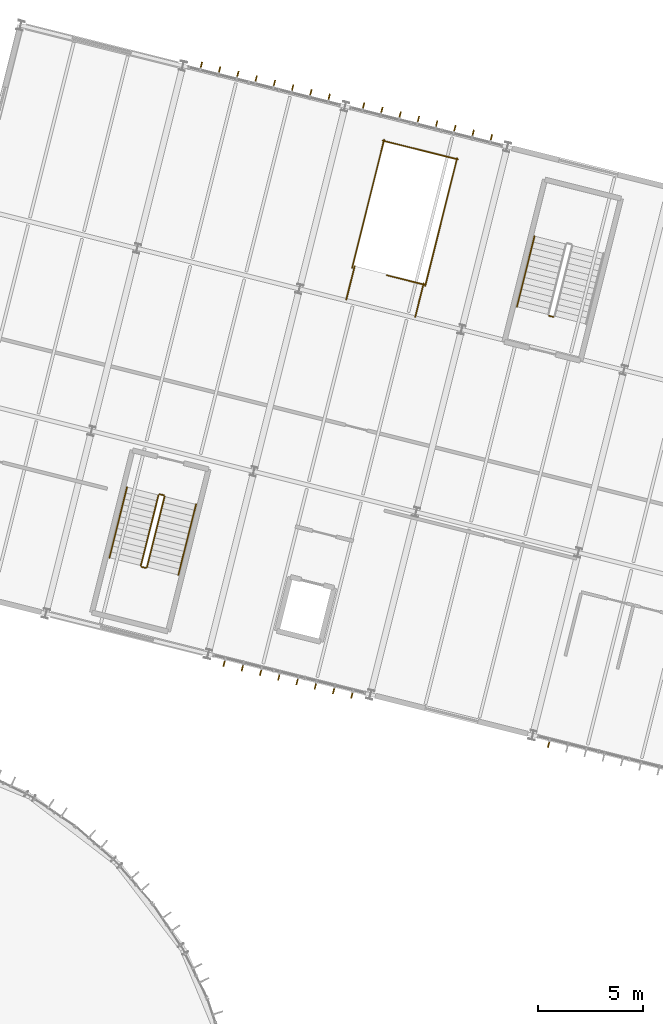
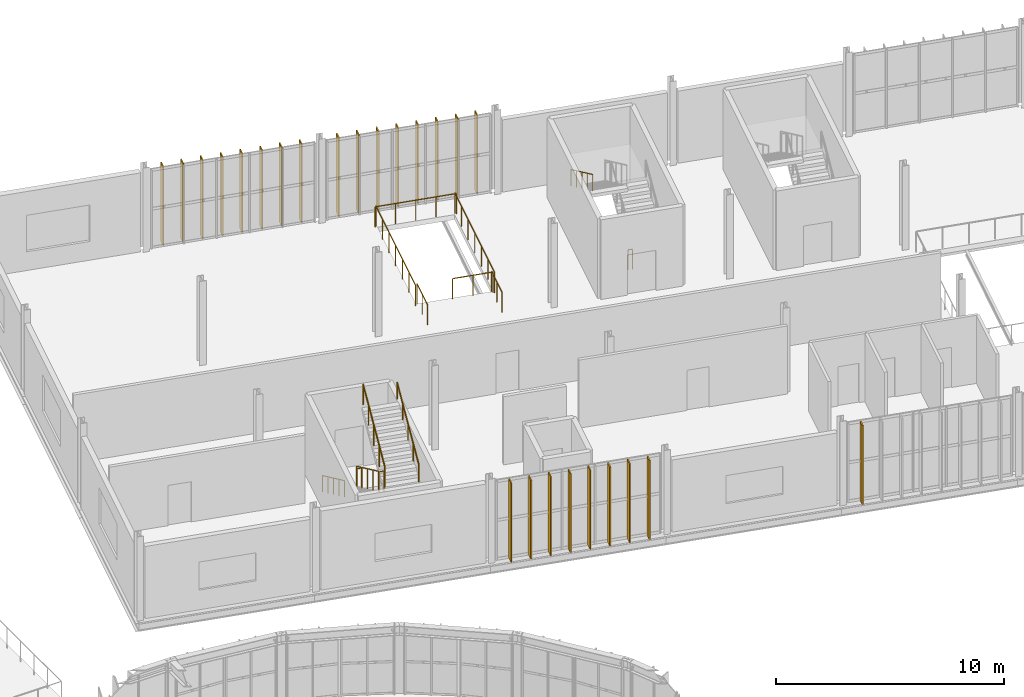
# One storey, part 149 of 152: 25 shading devices, 14 railings.
"""IFC4 building model written with IfcOpenShell, lengths in metres."""

from ifc_helpers import new_model, si_unit, derived_unit, direction, frame, origin, origin_2d, place, context, subcontext, project, spatial, rectangle, circle, extrude, material, layer, layer_set, type_object, element, save


model = new_model("IFC4")

# Units and contexts
model_context = context("Model", 3, precision=1e-05, world=origin(), true_north=direction((0.0, 1.0)))
body_context = subcontext(model_context, "Body", "Model", "MODEL_VIEW")
ifc_project = project(units=[si_unit("LENGTHUNIT", "METRE"), si_unit("AREAUNIT", "SQUARE_METRE"), si_unit("VOLUMEUNIT", "CUBIC_METRE"), si_unit("PLANEANGLEUNIT", "RADIAN"), si_unit("MASSUNIT", "GRAM", prefix="KILO"), si_unit("THERMODYNAMICTEMPERATUREUNIT", "KELVIN"), si_unit("TIMEUNIT", "SECOND"), derived_unit("THERMALTRANSMITTANCEUNIT", [(si_unit("MASSUNIT", "GRAM", prefix="KILO"), 1), (si_unit("THERMODYNAMICTEMPERATUREUNIT", "KELVIN"), -1), (si_unit("TIMEUNIT", "SECOND"), -3)])], contexts=[model_context])

# Site, building, storey
site_placement = place(None, origin())
site = spatial("IfcSite", under=ifc_project, at=site_placement, CompositionType="ELEMENT")
building_placement = place(site_placement, origin())
building = spatial("IfcBuilding", under=site, at=building_placement, Name="Cambertide Market Hall", CompositionType="ELEMENT")
storey_placement = place(building_placement, frame((0.0, 0.0, 5.39990234375)))
storey = spatial("IfcBuildingStorey", under=building, at=storey_placement, Name="L02", CompositionType="ELEMENT", Elevation=5.39990234375)

# Railings
ifc_material_1 = material(Name="Stainless Steel Grade 316", Category="metal")
railing_type_1 = type_object("IfcRailingType", Name="Stair Wall Handrail 900", PredefinedType="HANDRAIL", material=ifc_material_1)
railing_1_placement = place(storey_placement, frame((119.6416015625, 104.098876953125, 0.173095703125)))
element("IfcRailing", 1, at=railing_1_placement, inside=storey, type_object=railing_type_1, Name="Level 2 ST-07A stair handrail 1", PredefinedType="HANDRAIL", context=body_context, shape_type="SweptSolid", body=[
    extrude(circle(Radius=0.02392578125, at=origin_2d()), frame((0.0, 0.0, 0.8759765625), z_axis=(-0.208252581653, -0.833070567451, 0.5124688204), x_axis=(0.970146626655, -0.2425191184, 0.0)), (0.0, 0.0, 1.0), 4.052734375),
    extrude(circle(Radius=0.02099609375, at=origin_2d()), origin(), (0.0, 0.0, 1.0), 0.851806640625),
    extrude(circle(Radius=0.02099609375, at=origin_2d()), frame((-0.2109375, -0.843994140625, 0.519287109375)), (0.0, 0.0, 1.0), 0.851806640625),
    extrude(circle(Radius=0.02099609375, at=origin_2d()), frame((-0.421875, -1.68798828125, 1.03857421875)), (0.0, 0.0, 1.0), 0.851806640625),
    extrude(circle(Radius=0.02099609375, at=origin_2d()), frame((-0.633056640625, -2.5322265625, 1.5576171875)), (0.0, 0.0, 1.0), 0.851806640625),
    extrude(circle(Radius=0.02099609375, at=origin_2d()), frame((-0.843994140625, -3.376220703125, 2.076904296875)), (0.0, 0.0, 1.0), 0.851806640625),
])
railing_2_placement = place(storey_placement, frame((122.09619140625, 99.898193359375, 2.423095703125)))
element("IfcRailing", 2, at=railing_2_placement, inside=storey, type_object=railing_type_1, Name="Level 2 ST-07A stair handrail 2", PredefinedType="HANDRAIL", context=body_context, shape_type="SweptSolid", body=[
    extrude(circle(Radius=0.02392578125, at=origin_2d()), frame((0.0, 0.0, 0.8759765625), z_axis=(0.208263033191, 0.833052132762, 0.512494539587), x_axis=(-0.970142500145, 0.242535625036, 0.0)), (0.0, 0.0, 1.0), 4.052490234375),
    extrude(circle(Radius=0.02099609375, at=origin_2d()), origin(), (0.0, 0.0, 1.0), 0.851806640625),
    extrude(circle(Radius=0.02099609375, at=origin_2d()), frame((0.2109375, 0.843994140625, 0.519287109375)), (0.0, 0.0, 1.0), 0.851806640625),
    extrude(circle(Radius=0.02099609375, at=origin_2d()), frame((0.421875, 1.68798828125, 1.03857421875)), (0.0, 0.0, 1.0), 0.851806640625),
    extrude(circle(Radius=0.02099609375, at=origin_2d()), frame((0.633056640625, 2.531982421875, 1.5576171875)), (0.0, 0.0, 1.0), 0.851806640625),
    extrude(circle(Radius=0.02099609375, at=origin_2d()), frame((0.843994140625, 3.3759765625, 2.076904296875)), (0.0, 0.0, 1.0), 0.851806640625),
])
railing_3_placement = place(storey_placement, frame((139.13671875, 116.109130859375, 2.423095703125)))
element("IfcRailing", 3, at=railing_3_placement, inside=storey, type_object=railing_type_1, Name="Level 2 ST-07B stair handrail 2", PredefinedType="HANDRAIL", context=body_context, shape_type="SweptSolid", body=[
    extrude(circle(Radius=0.02392578125, at=origin_2d()), frame((0.0, 0.0, 0.8759765625), z_axis=(-0.208263033191, -0.833052132762, 0.512494539587), x_axis=(0.970142500145, -0.242535625036, 0.0)), (0.0, 0.0, 1.0), 4.052490234375),
    extrude(circle(Radius=0.02099609375, at=origin_2d()), origin(), (0.0, 0.0, 1.0), 0.851806640625),
    extrude(circle(Radius=0.02099609375, at=origin_2d()), frame((-0.2109375, -0.843994140625, 0.519287109375)), (0.0, 0.0, 1.0), 0.851806640625),
    extrude(circle(Radius=0.02099609375, at=origin_2d()), frame((-0.421875, -1.68798828125, 1.03857421875)), (0.0, 0.0, 1.0), 0.851806640625),
    extrude(circle(Radius=0.02099609375, at=origin_2d()), frame((-0.633056640625, -2.531982421875, 1.5576171875)), (0.0, 0.0, 1.0), 0.851806640625),
    extrude(circle(Radius=0.02099609375, at=origin_2d()), frame((-0.843994140625, -3.3759765625, 2.076904296875)), (0.0, 0.0, 1.0), 0.851806640625),
])
ifc_material_2 = material(Name="Stainless Steel Grade 316", Category="metal")
railing_type_2 = type_object("IfcRailingType", Name="Stairwell Inner Guardrail 1100", PredefinedType="GUARDRAIL", material=ifc_material_2)
railing_4_placement = place(storey_placement, frame((121.1455078125, 103.722900390625, 0.173095703125)))
element("IfcRailing", 4, at=railing_4_placement, inside=storey, type_object=railing_type_2, Name="Level 2 ST-07A stair guard 1", PredefinedType="GUARDRAIL", context=body_context, shape_type="SweptSolid", body=[
    extrude(circle(Radius=0.02392578125, at=origin_2d()), frame((0.0, 0.0, 1.076171875), z_axis=(-0.208263033191, -0.833052132762, 0.512494539587), x_axis=(0.970142500145, -0.242535625036, 0.0)), (0.0, 0.0, 1.0), 4.052490234375),
    extrude(circle(Radius=0.02099609375, at=origin_2d()), origin(), (0.0, 0.0, 1.0), 1.052001953125),
    extrude(circle(Radius=0.02099609375, at=origin_2d()), frame((-0.2109375, -0.843994140625, 0.519287109375)), (0.0, 0.0, 1.0), 1.052001953125),
    extrude(circle(Radius=0.02099609375, at=origin_2d()), frame((-0.421875, -1.68798828125, 1.03857421875)), (0.0, 0.0, 1.0), 1.052001953125),
    extrude(circle(Radius=0.02099609375, at=origin_2d()), frame((-0.633056640625, -2.531982421875, 1.5576171875)), (0.0, 0.0, 1.0), 1.052001953125),
    extrude(circle(Radius=0.02099609375, at=origin_2d()), frame((-0.843994140625, -3.3759765625, 2.076904296875)), (0.0, 0.0, 1.0), 1.052001953125),
])
railing_5_placement = place(storey_placement, frame((120.337890625, 100.2861328125, 2.25)))
element("IfcRailing", 5, at=railing_5_placement, inside=storey, type_object=railing_type_2, Name="Level 2 ST-07A stair guard 2", PredefinedType="GUARDRAIL", context=body_context, shape_type="SweptSolid", body=[
    extrude(circle(Radius=0.02392578125, at=origin_2d()), frame((0.0, 0.0, 1.076171875), z_axis=(0.970286097091, -0.241960512877, 0.0), x_axis=(0.241960512877, 0.970286097091, 0.0)), (0.0, 0.0, 1.0), 0.19970703125),
    extrude(circle(Radius=0.02099609375, at=origin_2d()), origin(), (0.0, 0.0, 1.0), 1.052001953125),
    extrude(circle(Radius=0.02099609375, at=origin_2d()), frame((0.19384765625, -0.04833984375, 0.0)), (0.0, 0.0, 1.0), 1.052001953125),
])
railing_6_placement = place(storey_placement, frame((120.592529296875, 100.274169921875, 2.423095703125)))
element("IfcRailing", 6, at=railing_6_placement, inside=storey, type_object=railing_type_2, Name="Level 2 ST-07A stair guard 3", PredefinedType="GUARDRAIL", context=body_context, shape_type="SweptSolid", body=[
    extrude(circle(Radius=0.02392578125, at=origin_2d()), frame((0.0, 0.0, 1.076171875), z_axis=(0.208263033191, 0.833052132762, 0.512494539587), x_axis=(-0.970142500145, 0.242535625036, 0.0)), (0.0, 0.0, 1.0), 4.052490234375),
    extrude(circle(Radius=0.02099609375, at=origin_2d()), origin(), (0.0, 0.0, 1.0), 1.052001953125),
    extrude(circle(Radius=0.02099609375, at=origin_2d()), frame((0.2109375, 0.843994140625, 0.519287109375)), (0.0, 0.0, 1.0), 1.052001953125),
    extrude(circle(Radius=0.02099609375, at=origin_2d()), frame((0.421875, 1.68798828125, 1.03857421875)), (0.0, 0.0, 1.0), 1.052001953125),
    extrude(circle(Radius=0.02099609375, at=origin_2d()), frame((0.633056640625, 2.531982421875, 1.5576171875)), (0.0, 0.0, 1.0), 1.052001953125),
    extrude(circle(Radius=0.02099609375, at=origin_2d()), frame((0.843994140625, 3.3759765625, 2.076904296875)), (0.0, 0.0, 1.0), 1.052001953125),
])
railing_7_placement = place(storey_placement, frame((121.2060546875, 103.75927734375, 0.0)))
element("IfcRailing", 7, at=railing_7_placement, inside=storey, type_object=railing_type_2, Name="Level 2 ST-07A stair guard 4", PredefinedType="GUARDRAIL", context=body_context, shape_type="SweptSolid", body=[
    extrude(circle(Radius=0.02392578125, at=origin_2d()), frame((0.0, 0.0, 1.076171875), z_axis=(0.970070680326, -0.242822723755, 0.0), x_axis=(0.242822723755, 0.970070680326, 0.0)), (0.0, 0.0, 1.0), 0.2001953125),
    extrude(circle(Radius=0.02099609375, at=origin_2d()), origin(), (0.0, 0.0, 1.0), 1.052001953125),
    extrude(circle(Radius=0.02099609375, at=origin_2d()), frame((0.194091796875, -0.048583984375, 0.0)), (0.0, 0.0, 1.0), 1.052001953125),
])
railing_8_placement = place(storey_placement, frame((140.02685546875, 112.248046875, 0.0)))
element("IfcRailing", 8, at=railing_8_placement, inside=storey, type_object=railing_type_2, Name="Level 2 ST-07B stair guard 4", PredefinedType="GUARDRAIL", context=body_context, shape_type="SweptSolid", body=[
    extrude(circle(Radius=0.02392578125, at=origin_2d()), frame((0.0, 0.0, 1.076171875), z_axis=(-0.970070680326, 0.242822723755, 0.0), x_axis=(-0.242822723755, -0.970070680326, 0.0)), (0.0, 0.0, 1.0), 0.2001953125),
    extrude(circle(Radius=0.02099609375, at=origin_2d()), origin(), (0.0, 0.0, 1.0), 1.052001953125),
    extrude(circle(Radius=0.02099609375, at=origin_2d()), frame((-0.194091796875, 0.048583984375, 0.0)), (0.0, 0.0, 1.0), 1.052001953125),
])
railing_9_placement = place(storey_placement, frame((133.866455078125, 113.7880859375, 0.0)))
element("IfcRailing", 9, at=railing_9_placement, inside=storey, type_object=railing_type_2, Name="Level 2 ST-13 top well guard 1", PredefinedType="GUARDRAIL", context=body_context, shape_type="SweptSolid", body=[
    extrude(circle(Radius=0.02392578125, at=origin_2d()), frame((0.0, 0.0, 1.076171875), z_axis=(-0.970134736521, 0.242566677422, 0.0), x_axis=(-0.242566677422, -0.970134736521, 0.0)), (0.0, 0.0, 1.0), 1.849853515625),
    extrude(circle(Radius=0.02099609375, at=origin_2d()), origin(), (0.0, 0.0, 1.0), 1.052001953125),
    extrude(circle(Radius=0.02099609375, at=origin_2d()), frame((-0.8974609375, 0.224365234375, 0.0)), (0.0, 0.0, 1.0), 1.052001953125),
    extrude(circle(Radius=0.02099609375, at=origin_2d()), frame((-1.794677734375, 0.44873046875, 0.0)), (0.0, 0.0, 1.0), 1.052001953125),
])
railing_10_placement = place(storey_placement, frame((133.90283203125, 113.7275390625, 0.0)))
element("IfcRailing", 10, at=railing_10_placement, inside=storey, type_object=railing_type_2, Name="Level 2 ST-13 top well guard 2", PredefinedType="GUARDRAIL", context=body_context, shape_type="SweptSolid", body=[
    extrude(circle(Radius=0.02392578125, at=origin_2d()), frame((0.0, 0.0, 1.076171875), z_axis=(0.242517388204, 0.970147059171, 0.0), x_axis=(-0.970147059171, 0.242517388204, 0.0)), (0.0, 0.0, 1.0), 6.2998046875),
    extrude(circle(Radius=0.02099609375, at=origin_2d()), origin(), (0.0, 0.0, 1.0), 1.052001953125),
    extrude(circle(Radius=0.02099609375, at=origin_2d()), frame((0.254638671875, 1.0185546875, 0.0)), (0.0, 0.0, 1.0), 1.052001953125),
    extrude(circle(Radius=0.02099609375, at=origin_2d()), frame((0.50927734375, 2.037353515625, 0.0)), (0.0, 0.0, 1.0), 1.052001953125),
    extrude(circle(Radius=0.02099609375, at=origin_2d()), frame((0.763916015625, 3.055908203125, 0.0)), (0.0, 0.0, 1.0), 1.052001953125),
    extrude(circle(Radius=0.02099609375, at=origin_2d()), frame((1.0185546875, 4.074462890625, 0.0)), (0.0, 0.0, 1.0), 1.052001953125),
    extrude(circle(Radius=0.02099609375, at=origin_2d()), frame((1.273193359375, 5.09326171875, 0.0)), (0.0, 0.0, 1.0), 1.052001953125),
    extrude(circle(Radius=0.02099609375, at=origin_2d()), frame((1.52783203125, 6.11181640625, 0.0)), (0.0, 0.0, 1.0), 1.052001953125),
])
railing_11_placement = place(storey_placement, frame((130.410400390625, 114.6005859375, 0.0)))
element("IfcRailing", 11, at=railing_11_placement, inside=storey, type_object=railing_type_2, Name="Level 2 ST-13 top well guard 3", PredefinedType="GUARDRAIL", context=body_context, shape_type="SweptSolid", body=[
    extrude(circle(Radius=0.02392578125, at=origin_2d()), frame((0.0, 0.0, 1.076171875), z_axis=(0.242508270784, 0.970149338299, 0.0), x_axis=(-0.970149338299, 0.242508270784, 0.0)), (0.0, 0.0, 1.0), 6.300048828125),
    extrude(circle(Radius=0.02099609375, at=origin_2d()), origin(), (0.0, 0.0, 1.0), 1.052001953125),
    extrude(circle(Radius=0.02099609375, at=origin_2d()), frame((0.254638671875, 1.0185546875, 0.0)), (0.0, 0.0, 1.0), 1.052001953125),
    extrude(circle(Radius=0.02099609375, at=origin_2d()), frame((0.50927734375, 2.037353515625, 0.0)), (0.0, 0.0, 1.0), 1.052001953125),
    extrude(circle(Radius=0.02099609375, at=origin_2d()), frame((0.763916015625, 3.05615234375, 0.0)), (0.0, 0.0, 1.0), 1.052001953125),
    extrude(circle(Radius=0.02099609375, at=origin_2d()), frame((1.0185546875, 4.07470703125, 0.0)), (0.0, 0.0, 1.0), 1.052001953125),
    extrude(circle(Radius=0.02099609375, at=origin_2d()), frame((1.273193359375, 5.09326171875, 0.0)), (0.0, 0.0, 1.0), 1.052001953125),
    extrude(circle(Radius=0.02099609375, at=origin_2d()), frame((1.52783203125, 6.112060546875, 0.0)), (0.0, 0.0, 1.0), 1.052001953125),
])
railing_12_placement = place(storey_placement, frame((135.467041015625, 119.77880859375, 0.0)))
element("IfcRailing", 12, at=railing_12_placement, inside=storey, type_object=railing_type_2, Name="Level 2 ST-13 top well guard 4", PredefinedType="GUARDRAIL", context=body_context, shape_type="SweptSolid", body=[
    extrude(circle(Radius=0.02392578125, at=origin_2d()), frame((0.0, 0.0, 1.076171875), z_axis=(-0.970134736521, 0.242566677422, 0.0), x_axis=(-0.242566677422, -0.970134736521, 0.0)), (0.0, 0.0, 1.0), 3.699951171875),
    extrude(circle(Radius=0.02099609375, at=origin_2d()), origin(), (0.0, 0.0, 1.0), 1.052001953125),
    extrude(circle(Radius=0.02099609375, at=origin_2d()), frame((-0.8974609375, 0.224365234375, 0.0)), (0.0, 0.0, 1.0), 1.052001953125),
    extrude(circle(Radius=0.02099609375, at=origin_2d()), frame((-1.794677734375, 0.44873046875, 0.0)), (0.0, 0.0, 1.0), 1.052001953125),
    extrude(circle(Radius=0.02099609375, at=origin_2d()), frame((-2.69189453125, 0.673095703125, 0.0)), (0.0, 0.0, 1.0), 1.052001953125),
    extrude(circle(Radius=0.02099609375, at=origin_2d()), frame((-3.58935546875, 0.8974609375, 0.0)), (0.0, 0.0, 1.0), 1.052001953125),
])
railing_13_placement = place(storey_placement, frame((133.429931640625, 112.248046875, 0.0)))
element("IfcRailing", 13, at=railing_13_placement, inside=storey, type_object=railing_type_2, Name="Level 2 ST-13 top well guard 5", PredefinedType="GUARDRAIL", context=body_context, shape_type="SweptSolid", body=[
    extrude(circle(Radius=0.02392578125, at=origin_2d()), frame((0.0, 0.0, 1.076171875), z_axis=(0.242500811571, 0.970151202848, 0.0), x_axis=(-0.970151202848, 0.242500811571, 0.0)), (0.0, 0.0, 1.0), 1.650146484375),
    extrude(circle(Radius=0.02099609375, at=origin_2d()), origin(), (0.0, 0.0, 1.0), 1.052001953125),
    extrude(circle(Radius=0.02099609375, at=origin_2d()), frame((0.2001953125, 0.80029296875, 0.0)), (0.0, 0.0, 1.0), 1.052001953125),
    extrude(circle(Radius=0.02099609375, at=origin_2d()), frame((0.400146484375, 1.600830078125, 0.0)), (0.0, 0.0, 1.0), 1.052001953125),
])
railing_14_placement = place(storey_placement, frame((130.13134765625, 113.07275390625, 0.0)))
element("IfcRailing", 14, at=railing_14_placement, inside=storey, type_object=railing_type_2, Name="Level 2 ST-13 top well guard 6", PredefinedType="GUARDRAIL", context=body_context, shape_type="SweptSolid", body=[
    extrude(circle(Radius=0.02392578125, at=origin_2d()), frame((0.0, 0.0, 1.076171875), z_axis=(0.242535625036, 0.970142500145, 0.0), x_axis=(-0.970142500145, 0.242535625036, 0.0)), (0.0, 0.0, 1.0), 1.64990234375),
    extrude(circle(Radius=0.02099609375, at=origin_2d()), origin(), (0.0, 0.0, 1.0), 1.052001953125),
    extrude(circle(Radius=0.02099609375, at=origin_2d()), frame((0.2001953125, 0.80029296875, 0.0)), (0.0, 0.0, 1.0), 1.052001953125),
    extrude(circle(Radius=0.02099609375, at=origin_2d()), frame((0.400146484375, 1.6005859375, 0.0)), (0.0, 0.0, 1.0), 1.052001953125),
])

# Shading devices
ifc_material_3 = material(Name="Champagne Marine Anodized Aluminium 6063-T6 AA25", Category="aluminium")
ifc_layer = layer(ifc_material_3, 0.054931640625, Name="Wing Facade Vertical Sun Fin 380x55")
ifc_layer_set = layer_set([ifc_layer], Name="Champagne Marine Anodized Aluminium 6063-T6 AA25")
shading_device_type = type_object("IfcShadingDeviceType", Name="Wing Facade Vertical Sun Fin 380x55", PredefinedType="JALOUSIE", material=ifc_layer_set)
for number, where, z_axis, x_axis, name in (
    (15, (123.18505859375, 124.251220703125, 0.0), (0.0, 0.0, 1.0), (0.970142500145, -0.242535625038, 0.0), "CW-V4N-L02-2 Vertical Fin 1"),
    (16, (124.058349609375, 124.032958984375, 0.0), (0.0, 0.0, 1.0), (0.970142500145, -0.242535625038, 0.0), "CW-V4N-L02-2 Vertical Fin 2"),
    (17, (124.931396484375, 123.814453125, 0.0), (0.0, 0.0, 1.0), (0.970142500145, -0.242535625038, 0.0), "CW-V4N-L02-2 Vertical Fin 3"),
    (18, (125.804443359375, 123.59619140625, 0.0), (0.0, 0.0, 1.0), (0.970142500145, -0.242535625038, 0.0), "CW-V4N-L02-2 Vertical Fin 4"),
    (19, (126.677734375, 123.3779296875, 0.0), (0.0, 0.0, 1.0), (0.970142500145, -0.242535625038, 0.0), "CW-V4N-L02-2 Vertical Fin 5"),
    (20, (127.55078125, 123.15966796875, 0.0), (0.0, 0.0, 1.0), (0.970142500145, -0.242535625038, 0.0), "CW-V4N-L02-2 Vertical Fin 6"),
    (21, (128.423828125, 122.94140625, 0.0), (0.0, 0.0, 1.0), (0.970142500145, -0.242535625038, 0.0), "CW-V4N-L02-2 Vertical Fin 7"),
    (22, (129.297119140625, 122.72314453125, 0.0), (0.0, 0.0, 1.0), (0.970142500145, -0.242535625038, 0.0), "CW-V4N-L02-2 Vertical Fin 8"),
    (23, (130.9462890625, 122.310791015625, 0.0), (0.0, 0.0, 1.0), (0.970142500145, -0.242535625038, 0.0), "CW-V4N-L02-3 Vertical Fin 1"),
    (24, (131.8193359375, 122.092529296875, 0.0), (0.0, 0.0, 1.0), (0.970142500145, -0.242535625038, 0.0), "CW-V4N-L02-3 Vertical Fin 2"),
    (25, (132.692626953125, 121.874267578125, 0.0), (0.0, 0.0, 1.0), (0.970142500145, -0.242535625038, 0.0), "CW-V4N-L02-3 Vertical Fin 3"),
    (26, (133.565673828125, 121.656005859375, 0.0), (0.0, 0.0, 1.0), (0.970142500145, -0.242535625038, 0.0), "CW-V4N-L02-3 Vertical Fin 4"),
    (27, (134.438720703125, 121.437744140625, 0.0), (0.0, 0.0, 1.0), (0.970142500145, -0.242535625038, 0.0), "CW-V4N-L02-3 Vertical Fin 5"),
    (28, (135.31201171875, 121.219482421875, 0.0), (0.0, 0.0, 1.0), (0.970142500145, -0.242535625038, 0.0), "CW-V4N-L02-3 Vertical Fin 6"),
    (29, (136.18505859375, 121.001220703125, 0.0), (0.0, 0.0, 1.0), (0.970142500145, -0.242535625038, 0.0), "CW-V4N-L02-3 Vertical Fin 7"),
    (30, (137.05810546875, 120.782958984375, 0.0), (0.0, 0.0, 1.0), (0.970142500145, -0.242535625038, 0.0), "CW-V4N-L02-3 Vertical Fin 8"),
    (31, (130.407958984375, 94.181640625, 0.0), (0.0, 0.0, 1.0), (-0.970142531436, 0.242535499875, 0.0), "CW-V4S-L02-3 Vertical Fin 1"),
    (32, (129.53466796875, 94.39990234375, 0.0), (0.0, 0.0, 1.0), (-0.970142531436, 0.242535499875, 0.0), "CW-V4S-L02-3 Vertical Fin 2"),
    (33, (128.66162109375, 94.6181640625, 0.0), (0.0, 0.0, 1.0), (-0.970142531436, 0.242535499875, 0.0), "CW-V4S-L02-3 Vertical Fin 3"),
    (34, (127.78857421875, 94.83642578125, 0.0), (0.0, 0.0, 1.0), (-0.970142531436, 0.242535499875, 0.0), "CW-V4S-L02-3 Vertical Fin 4"),
    (35, (126.915283203125, 95.0546875, 0.0), (0.0, 0.0, 1.0), (-0.970142531436, 0.242535499875, 0.0), "CW-V4S-L02-3 Vertical Fin 5"),
    (36, (126.042236328125, 95.27294921875, 0.0), (0.0, 0.0, 1.0), (-0.970142531436, 0.242535499875, 0.0), "CW-V4S-L02-3 Vertical Fin 6"),
    (37, (125.169189453125, 95.4912109375, 0.0), (0.0, 0.0, 1.0), (-0.970142531436, 0.242535499875, 0.0), "CW-V4S-L02-3 Vertical Fin 7"),
    (38, (124.2958984375, 95.70947265625, 0.0), (0.0, 0.0, 1.0), (-0.970142531436, 0.242535499875, 0.0), "CW-V4S-L02-3 Vertical Fin 8"),
    (39, (139.818359375, 91.828857421875, 0.0), (0.0, 0.0, 1.0), (-0.970142531436, 0.242535499875, 0.0), "CW-V4S-L02-5 Vertical Fin 8"),
):
    element("IfcShadingDevice", number, at=place(storey_placement, frame(where, z_axis=z_axis, x_axis=x_axis)), inside=storey, type_object=shading_device_type, Name=name, PredefinedType="JALOUSIE", context=body_context, shape_type="SweptSolid", body=[
        extrude(rectangle(XDim=0.054931640625, YDim=0.3798828125, at=origin_2d()), origin(), (0.0, 0.0, 1.0), 4.219970703125),
    ])

save(model, "model.ifc")
